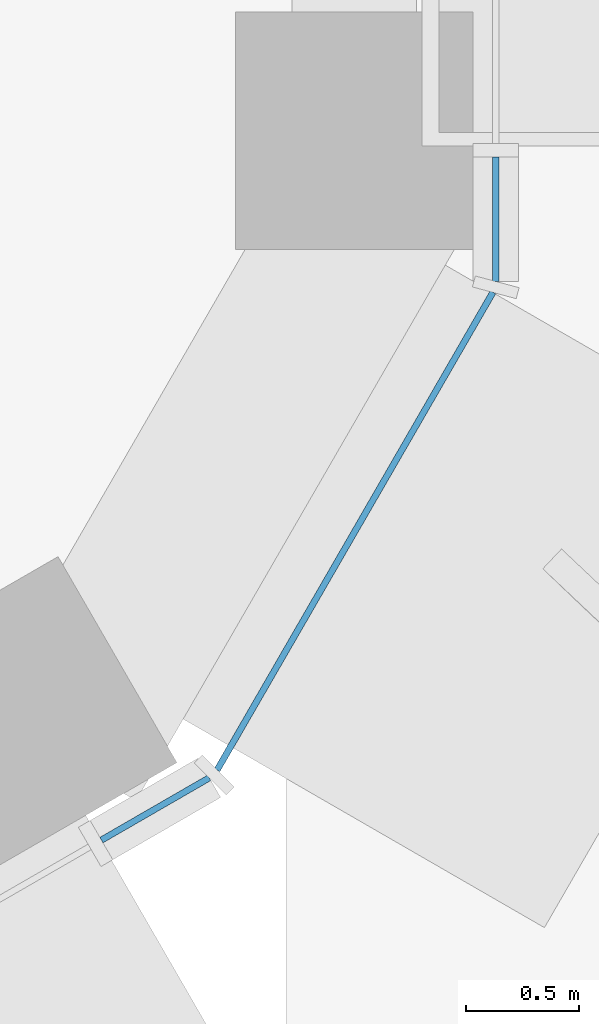
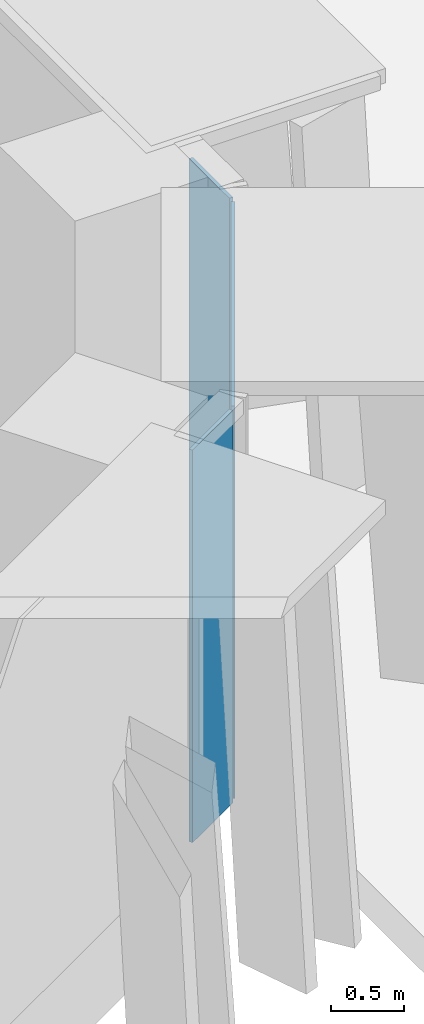
# One storey, part 11 of 25: 3 plates, 1 element without a shape of its own.
"""IFC4 building model written with IfcOpenShell, lengths in metres."""

from ifc_helpers import new_model, si_unit, direction, frame, origin, origin_2d, place, context, subcontext, project, spatial, rectangle, extrude, material, layer, layer_set, type_object, element, aggregate, save


model = new_model("IFC4")

# Units and contexts
model_context = context("Model", 3, precision=1e-05, world=origin(), true_north=direction((0.0, 1.0)))
body_context = subcontext(model_context, "Body", "Model", "MODEL_VIEW")
ifc_project = project(units=[si_unit("LENGTHUNIT", "METRE"), si_unit("AREAUNIT", "SQUARE_METRE"), si_unit("VOLUMEUNIT", "CUBIC_METRE"), si_unit("PLANEANGLEUNIT", "RADIAN"), si_unit("MASSUNIT", "GRAM", prefix="KILO")], contexts=[model_context])

# Site, building, storey
site_placement = place(None, origin())
site = spatial("IfcSite", under=ifc_project, at=site_placement, CompositionType="ELEMENT")
building_placement = place(site_placement, origin())
building = spatial("IfcBuilding", under=site, at=building_placement, Name="Ayvan Gate Tower", CompositionType="ELEMENT")
storey_placement = place(building_placement, frame((0.0, 0.0, 132.5)))
storey = spatial("IfcBuildingStorey", under=building, at=storey_placement, Name="L35", CompositionType="ELEMENT", Elevation=132.5)

# Curtain wall, plates
ifc_material_1 = material(Name="Bronze anodised aluminium", Category="aluminium")
ifc_layer_1 = layer(ifc_material_1, 0.199951171875)
ifc_layer_set_1 = layer_set([ifc_layer_1], Name="Bronze anodised aluminium")
curtain_wall_type = type_object("IfcCurtainWallType", Name="Stick curtain wall CW-6", PredefinedType="NOTDEFINED", material=ifc_layer_set_1)
curtain_wall_placement = place(storey_placement, origin())
curtain_wall = element("IfcCurtainWall", 1, at=curtain_wall_placement, inside=storey, type_object=curtain_wall_type, Name="Stick curtain wall CW-6 L35", PredefinedType="NOTDEFINED")
ifc_material_2 = material(Name="Clear low-iron laminated glass", Category="glass")
ifc_layer_2 = layer(ifc_material_2, 0.028076171875)
ifc_layer_set_2 = layer_set([ifc_layer_2], Name="Clear low-iron laminated glass")
plate_type = type_object("IfcPlateType", Name="Stick curtain wall CW-6 glass panel", PredefinedType="CURTAIN_PANEL", material=ifc_layer_set_2)
plate_1_placement = place(storey_placement, frame((18.607421875, -11.48291015625, 0.0), z_axis=(0.0, 0.0, 1.0), x_axis=(0.866025403784, 0.5, 0.0)))
plate_1 = element("IfcPlate", 2, at=plate_1_placement, type_object=plate_type, Name="CW-6 glass panel 1", PredefinedType="CURTAIN_PANEL", context=body_context, shape_type="SweptSolid", body=[
    extrude(rectangle(XDim=0.550048828125, YDim=0.028076171875, at=origin_2d()), origin(), (0.0, 0.0, 1.0), 3.280029296875),
])
plate_2_placement = place(storey_placement, frame((19.489013671875, -10.25634765625, 0.0), z_axis=(0.0, 0.0, 1.0), x_axis=(0.5, 0.866025403784, 0.0)))
plate_2 = element("IfcPlate", 3, at=plate_2_placement, type_object=plate_type, Name="CW-6 glass panel 2", PredefinedType="CURTAIN_PANEL", context=body_context, shape_type="SweptSolid", body=[
    extrude(rectangle(XDim=2.4365234375, YDim=0.028076171875, at=origin_2d()), origin(), (0.0, 0.0, 1.0), 3.280029296875),
])
plate_3_placement = place(storey_placement, frame((20.110595703125, -8.879638671875, 0.0), z_axis=(0.0, 0.0, 1.0), x_axis=(0.0, 1.0, 0.0)))
plate_3 = element("IfcPlate", 4, at=plate_3_placement, type_object=plate_type, Name="CW-6 glass panel 3", PredefinedType="CURTAIN_PANEL", context=body_context, shape_type="SweptSolid", body=[
    extrude(rectangle(XDim=0.550048828125, YDim=0.028076171875, at=origin_2d()), origin(), (0.0, 0.0, 1.0), 3.280029296875),
])
aggregate(curtain_wall, [plate_1, plate_2, plate_3])

save(model, "model.ifc")
